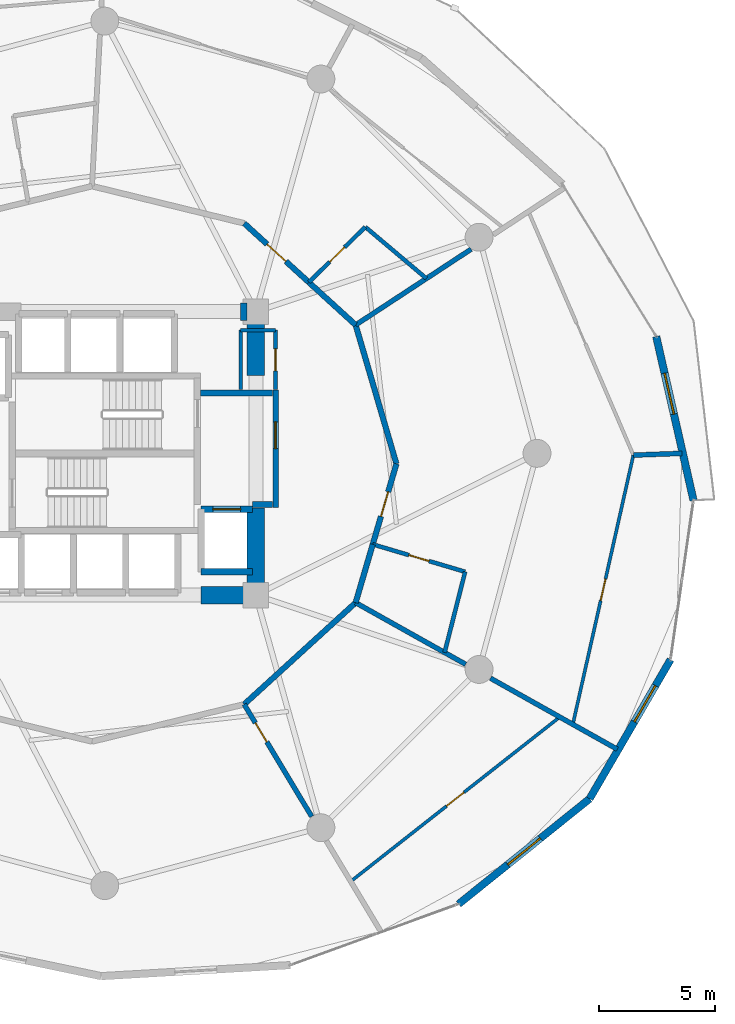
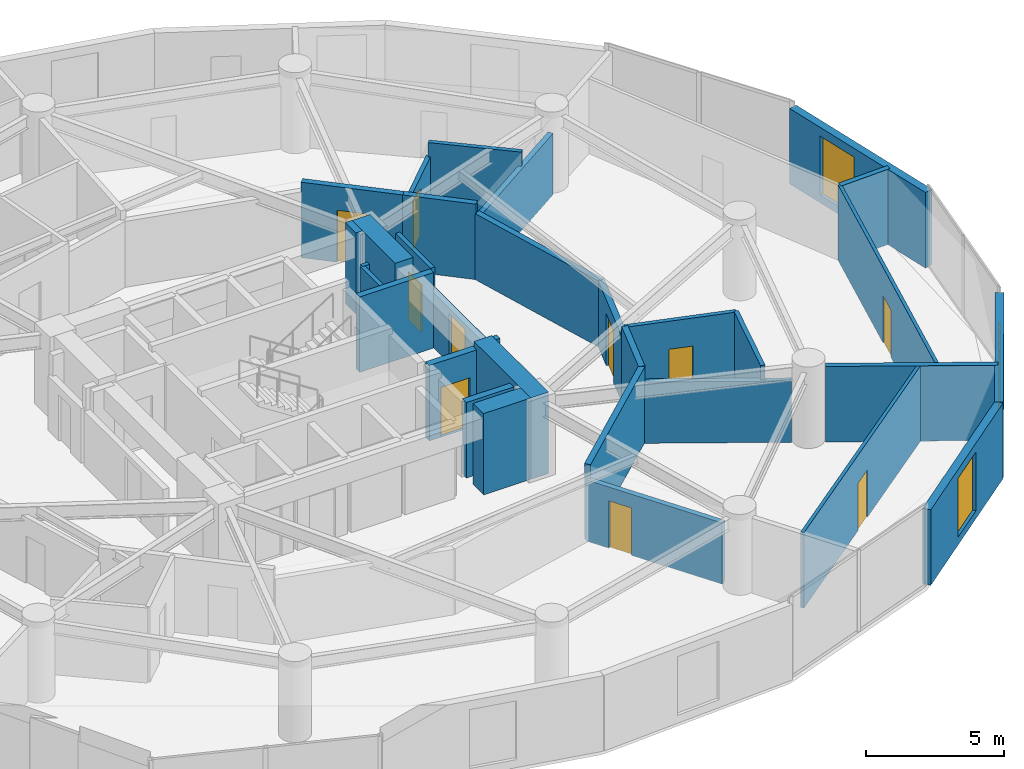
# One storey, part 22 of 26: 32 walls, 10 doors, 3 windows, 13 openings.
"""IFC4 building model written with IfcOpenShell, lengths in metres."""

from ifc_helpers import new_model, si_unit, direction, frame, frame_2d, origin, place, context, subcontext, project, spatial, rectangle, extrude, material, layer, layer_set, type_object, element, fill, save


model = new_model("IFC4")

# Units and contexts
model_context = context("Model", 3, precision=1e-05, world=origin(), true_north=direction((0.0, 1.0)))
body_context = subcontext(model_context, "Body", "Model", "MODEL_VIEW")
ifc_project = project(units=[si_unit("LENGTHUNIT", "METRE"), si_unit("AREAUNIT", "SQUARE_METRE"), si_unit("VOLUMEUNIT", "CUBIC_METRE"), si_unit("PLANEANGLEUNIT", "RADIAN"), si_unit("MASSUNIT", "GRAM", prefix="KILO")], contexts=[model_context])

# Site, building, storey
site_placement = place(None, origin())
site = spatial("IfcSite", under=ifc_project, at=site_placement, CompositionType="ELEMENT")
building_placement = place(site_placement, origin())
building = spatial("IfcBuilding", under=site, at=building_placement, Name="Solvirekh Grand Hotel", CompositionType="ELEMENT")
storey_placement = place(building_placement, frame((0.0, 0.0, 71.60009765625)))
storey = spatial("IfcBuildingStorey", under=building, at=storey_placement, Name="L17", CompositionType="ELEMENT", Elevation=71.60009765625)

# Wall
ifc_material_1 = material(Name="Concrete C40/50", Category="concrete")
ifc_layer_1 = layer(ifc_material_1, 0.280029296875)
ifc_layer_set_1 = layer_set([ifc_layer_1], Name="Concrete C40/50")
wall_type_1 = type_object("IfcWallType", Name="CoreShaftWall_RC280", PredefinedType="SOLIDWALL", material=ifc_layer_set_1)
wall_1_placement = place(storey_placement, frame((4.14990234375, -5.10009765625, 0.0), z_axis=(0.0, 0.0, 1.0), x_axis=(1.0, 0.0, 0.0)))
element("IfcWall", 1, at=wall_1_placement, inside=storey, type_object=wall_type_1, Name="L17 FL-2 hoistway S wall", PredefinedType="SOLIDWALL", context=body_context, shape_type="SweptSolid", body=[
    extrude(rectangle(XDim=2.2001953125, YDim=0.280029296875, at=frame_2d((1.10009765625, 0.0))), origin(), (0.0, 0.0, 1.0), 3.33984375),
])

# Wall, opening, door
wall_2_placement = place(storey_placement, frame((6.35009765625, -2.39990234375, 0.0), z_axis=(0.0, 0.0, 1.0), x_axis=(-1.0, 0.0, 0.0)))
wall_2 = element("IfcWall", 2, at=wall_2_placement, inside=storey, type_object=wall_type_1, Name="L17 FL-2 hoistway N wall", PredefinedType="SOLIDWALL", context=body_context, shape_type="SweptSolid", body=[
    extrude(rectangle(XDim=2.2001953125, YDim=0.280029296875, at=frame_2d((1.10009765625, 0.0))), origin(), (0.0, 0.0, 1.0), 3.33984375),
])
opening_1_placement = place(wall_2_placement, frame((0.5, 0.0, 0.0)))
opening_1 = element("IfcOpeningElement", 3, at=opening_1_placement, cuts=wall_2, Name="Opening LD02", PredefinedType="OPENING", context=body_context, shape_type="SweptSolid", body=[
    extrude(rectangle(XDim=1.199951171875, YDim=2.199951171875, at=frame_2d((0.60009765625, 1.10009765625))), frame((0.0, 0.14990234375, 0.0), z_axis=(0.0, -1.0, 0.0), x_axis=(1.0, 0.0, 0.0)), (0.0, 0.0, 1.0), 0.300048828125),
])
ifc_material_2 = material(Name="Fire-Rated Steel Door Assembly", Category="steel")
door_type_1 = type_object("IfcDoorType", Name="Door_LiftFF_1200X2200", OperationType="SLIDING_TO_LEFT", PredefinedType="DOOR", material=ifc_material_2)
door_1_placement = place(opening_1_placement, origin())
door_1 = element("IfcDoor", 4, at=door_1_placement, inside=storey, type_object=door_type_1, Name="L17 FL-2 sliding lift landing door", OperationType="SLIDING_TO_LEFT", OverallHeight=2.199951171875, OverallWidth=1.199951171875, PredefinedType="DOOR", context=body_context, shape_type="SweptSolid", body=[
    extrude(rectangle(XDim=1.199951171875, YDim=2.199951171875, at=frame_2d((0.60009765625, 1.10009765625))), frame((0.0, 0.02490234375, 0.0), z_axis=(0.0, -1.0, 0.0), x_axis=(1.0, 0.0, 0.0)), (0.0, 0.0, 1.0), 0.050048828125),
])
fill(opening_1, door_1)

# Walls
ifc_material_3 = material(Name="Concrete C60/75", Category="concrete")
ifc_layer_2 = layer(ifc_material_3, 0.75)
ifc_layer_set_2 = layer_set([ifc_layer_2], Name="Concrete C60/75")
wall_type_2 = type_object("IfcWallType", Name="CoreWall_RC750", PredefinedType="SHEAR", material=ifc_layer_set_2)
wall_3_placement = place(storey_placement, frame((4.14990234375, -6.10009765625, 0.0), z_axis=(0.0, 0.0, 1.0), x_axis=(1.0, 0.0, 0.0)))
element("IfcWall", 5, at=wall_3_placement, inside=storey, type_object=wall_type_2, Name="L17 core corner shear wall SE-S", PredefinedType="SHEAR", context=body_context, shape_type="SweptSolid", body=[
    extrude(rectangle(XDim=1.97509765625, YDim=0.75, at=frame_2d((0.987548828125, 0.0))), origin(), (0.0, 0.0, 1.0), 3.599853515625),
])
wall_4_placement = place(storey_placement, frame((5.85009765625, 6.10009765625, 0.0), z_axis=(0.0, 0.0, 1.0), x_axis=(1.0, 0.0, 0.0)))
element("IfcWall", 6, at=wall_4_placement, inside=storey, type_object=wall_type_2, Name="L17 core corner shear wall NE-N", PredefinedType="SHEAR", context=body_context, shape_type="SweptSolid", body=[
    extrude(rectangle(XDim=0.27490234375, YDim=0.75, at=frame_2d((0.137451171875, 0.0))), origin(), (0.0, 0.0, 1.0), 3.599853515625),
])
wall_5_placement = place(storey_placement, frame((6.5, -6.47509765625, 0.0), z_axis=(0.0, 0.0, 1.0), x_axis=(0.0, 1.0, 0.0)))
element("IfcWall", 7, at=wall_5_placement, inside=storey, type_object=wall_type_2, Name="L17 core corner shear wall ES-E", PredefinedType="SHEAR", context=body_context, shape_type="SweptSolid", body=[
    extrude(rectangle(XDim=4.125, YDim=0.75, at=frame_2d((2.0625, 0.0))), origin(), (0.0, 0.0, 1.0), 3.599853515625),
])
wall_6_placement = place(storey_placement, frame((6.5, 3.35009765625, 0.0), z_axis=(0.0, 0.0, 1.0), x_axis=(0.0, 1.0, 0.0)))
element("IfcWall", 8, at=wall_6_placement, inside=storey, type_object=wall_type_2, Name="L17 core corner shear wall EN-E", PredefinedType="SHEAR", context=body_context, shape_type="SweptSolid", body=[
    extrude(rectangle(XDim=3.125, YDim=0.75, at=frame_2d((1.5625, 0.0))), origin(), (0.0, 0.0, 1.0), 3.599853515625),
])

# Wall, opening, window
ifc_material_4 = material(Name="Precast concrete C45/55", Category="concrete")
ifc_layer_3 = layer(ifc_material_4, 0.320068359375)
ifc_layer_set_3 = layer_set([ifc_layer_3], Name="Precast concrete C45/55")
wall_type_3 = type_object("IfcWallType", Name="ExtLobbyWall_RC320", PredefinedType="SOLIDWALL", material=ifc_layer_set_3)
wall_7_placement = place(storey_placement, frame((23.73095703125, 5.028076171875, 0.0), z_axis=(0.0, 0.0, 1.0), x_axis=(0.221888063911, -0.975072144558, 0.0)))
wall_7 = element("IfcWall", 9, at=wall_7_placement, inside=storey, type_object=wall_type_3, Name="L17 exterior structural wall chord 2", PredefinedType="SOLIDWALL", context=body_context, shape_type="SweptSolid", body=[
    extrude(rectangle(XDim=7.2333984375, YDim=0.320068359375, at=frame_2d((3.61669921875, 0.0))), origin(), (0.0, 0.0, 1.0), 3.33984375),
])
opening_2_placement = place(wall_7_placement, frame((1.6240234375, 0.0, 0.35009765625)))
opening_2 = element("IfcOpeningElement", 10, at=opening_2_placement, cuts=wall_7, Name="Opening W02", PredefinedType="OPENING", context=body_context, shape_type="SweptSolid", body=[
    extrude(rectangle(XDim=1.800048828125, YDim=2.60009765625, at=frame_2d((0.89990234375, 1.300048828125))), frame((0.0, 0.169921875, 0.0), z_axis=(0.0, -1.0, 0.0), x_axis=(1.0, 0.0, 0.0)), (0.0, 0.0, 1.0), 0.340087890625),
])
ifc_material_5 = material(Name="Low-E Tinted Bronze Laminated Glass", Category="aluminium")
window_type = type_object("IfcWindowType", Name="Win_LobbyExt_1800X2600", PartitioningType="SINGLE_PANEL", PredefinedType="WINDOW", material=ifc_material_5)
window_1_placement = place(opening_2_placement, origin())
window_1 = element("IfcWindow", 11, at=window_1_placement, inside=storey, type_object=window_type, Name="L17 panoramic bronze-framed window 2", OverallHeight=2.60009765625, OverallWidth=1.800048828125, PartitioningType="SINGLE_PANEL", PredefinedType="WINDOW", context=body_context, shape_type="SweptSolid", body=[
    extrude(rectangle(XDim=1.800048828125, YDim=2.60009765625, at=frame_2d((0.89990234375, 1.300048828125))), frame((0.0, 0.030029296875, 0.0), z_axis=(0.0, -1.0, 0.0), x_axis=(1.0, 0.0, 0.0)), (0.0, 0.0, 1.0), 0.06005859375),
])
fill(opening_2, window_1)

wall_8_placement = place(storey_placement, frame((20.864013671875, -14.864990234375, 0.0), z_axis=(0.0, 0.0, 1.0), x_axis=(-0.779473911099, -0.626434690862, 0.0)))
wall_8 = element("IfcWall", 12, at=wall_8_placement, inside=storey, type_object=wall_type_3, Name="L17 exterior structural wall chord 19", PredefinedType="SOLIDWALL", context=body_context, shape_type="SweptSolid", body=[
    extrude(rectangle(XDim=7.23291015625, YDim=0.320068359375, at=frame_2d((3.616455078125, 0.0))), origin(), (0.0, 0.0, 1.0), 3.33984375),
])
opening_3_placement = place(wall_8_placement, frame((2.717041015625, 0.0, 0.35009765625)))
opening_3 = element("IfcOpeningElement", 13, at=opening_3_placement, cuts=wall_8, Name="Opening W02", PredefinedType="OPENING", context=body_context, shape_type="SweptSolid", body=[
    extrude(rectangle(XDim=1.800048828125, YDim=2.60009765625, at=frame_2d((0.89990234375, 1.300048828125))), frame((0.0, 0.169921875, 0.0), z_axis=(0.0, -1.0, 0.0), x_axis=(1.0, 0.0, 0.0)), (0.0, 0.0, 1.0), 0.340087890625),
])
window_2_placement = place(opening_3_placement, origin())
window_2 = element("IfcWindow", 14, at=window_2_placement, inside=storey, type_object=window_type, Name="L17 panoramic bronze-framed window 19", OverallHeight=2.60009765625, OverallWidth=1.800048828125, PartitioningType="SINGLE_PANEL", PredefinedType="WINDOW", context=body_context, shape_type="SweptSolid", body=[
    extrude(rectangle(XDim=1.800048828125, YDim=2.60009765625, at=frame_2d((0.89990234375, 1.300048828125))), frame((0.0, 0.030029296875, 0.0), z_axis=(0.0, -1.0, 0.0), x_axis=(1.0, 0.0, 0.0)), (0.0, 0.0, 1.0), 0.06005859375),
])
fill(opening_3, window_2)

wall_9_placement = place(storey_placement, frame((24.347900390625, -8.87890625, 0.0), z_axis=(0.0, 0.0, 1.0), x_axis=(-0.503009446837, -0.864280912894, 0.0)))
wall_9 = element("IfcWall", 15, at=wall_9_placement, inside=storey, type_object=wall_type_3, Name="L17 exterior structural wall chord 20", PredefinedType="SOLIDWALL", context=body_context, shape_type="SweptSolid", body=[
    extrude(rectangle(XDim=6.926025390625, YDim=0.320068359375, at=frame_2d((3.462890625, 0.0))), origin(), (0.0, 0.0, 1.0), 3.33984375),
])
opening_4_placement = place(wall_9_placement, frame((1.29296875, 0.0, 0.35009765625)))
opening_4 = element("IfcOpeningElement", 16, at=opening_4_placement, cuts=wall_9, Name="Opening W02", PredefinedType="OPENING", context=body_context, shape_type="SweptSolid", body=[
    extrude(rectangle(XDim=1.800048828125, YDim=2.60009765625, at=frame_2d((0.89990234375, 1.300048828125))), frame((0.0, 0.169921875, 0.0), z_axis=(0.0, -1.0, 0.0), x_axis=(1.0, 0.0, 0.0)), (0.0, 0.0, 1.0), 0.340087890625),
])
window_3_placement = place(opening_4_placement, origin())
window_3 = element("IfcWindow", 17, at=window_3_placement, inside=storey, type_object=window_type, Name="L17 panoramic bronze-framed window 20", OverallHeight=2.60009765625, OverallWidth=1.800048828125, PartitioningType="SINGLE_PANEL", PredefinedType="WINDOW", context=body_context, shape_type="SweptSolid", body=[
    extrude(rectangle(XDim=1.800048828125, YDim=2.60009765625, at=frame_2d((0.89990234375, 1.300048828125))), frame((0.0, 0.030029296875, 0.0), z_axis=(0.0, -1.0, 0.0), x_axis=(1.0, 0.0, 0.0)), (0.0, 0.0, 1.0), 0.06005859375),
])
fill(opening_4, window_3)

# Wall, opening, door
ifc_material_6 = material(Name="Acoustic Gypsum Partition Assembly")
ifc_layer_4 = layer(ifc_material_6, 0.1650390625)
ifc_layer_set_4 = layer_set([ifc_layer_4], Name="Acoustic Gypsum Partition Assembly")
wall_type_4 = type_object("IfcWallType", Name="Part_BOH_165", PredefinedType="PARTITIONING", material=ifc_layer_set_4)
wall_10_placement = place(storey_placement, frame((7.35009765625, 2.75, 0.0), z_axis=(0.0, 0.0, 1.0), x_axis=(0.0, 1.0, 0.0)))
wall_10 = element("IfcWall", 18, at=wall_10_placement, inside=storey, type_object=wall_type_4, Name="L17 L17 Core Housekeeping & Linen Room wall 2", PredefinedType="PARTITIONING", context=body_context, shape_type="SweptSolid", body=[
    extrude(rectangle(XDim=2.550048828125, YDim=0.1650390625, at=frame_2d((1.27490234375, 0.0))), origin(), (0.0, 0.0, 1.0), 3.33984375),
])
opening_5_placement = place(wall_10_placement, frame((0.800048828125, 0.0, 0.0)))
opening_5 = element("IfcOpeningElement", 19, at=opening_5_placement, cuts=wall_10, Name="Opening D10", PredefinedType="OPENING", context=body_context, shape_type="SweptSolid", body=[
    extrude(rectangle(XDim=0.949951171875, YDim=2.10009765625, at=frame_2d((0.47509765625, 1.050048828125))), frame((0.0, 0.092529296875, 0.0), z_axis=(0.0, -1.0, 0.0), x_axis=(1.0, 0.0, 0.0)), (0.0, 0.0, 1.0), 0.18505859375),
])
ifc_material_7 = material(Name="Anodized Bronze Aluminium 6063-T6", Category="aluminium")
door_type_2 = type_object("IfcDoorType", Name="Door_RoomInt_950X2100", OperationType="NOTDEFINED", PredefinedType="DOOR", material=ifc_material_7)
door_2_placement = place(opening_5_placement, origin())
door_2 = element("IfcDoor", 20, at=door_2_placement, inside=storey, type_object=door_type_2, Name="L17 L17 Core Housekeeping & Linen Room door", OperationType="SINGLE_SWING_LEFT", OverallHeight=2.10009765625, OverallWidth=0.949951171875, PredefinedType="DOOR", context=body_context, shape_type="SweptSolid", body=[
    extrude(rectangle(XDim=0.949951171875, YDim=2.10009765625, at=frame_2d((0.47509765625, 1.050048828125))), frame((0.0, 0.02490234375, 0.0), z_axis=(0.0, -1.0, 0.0), x_axis=(1.0, 0.0, 0.0)), (0.0, 0.0, 1.0), 0.050048828125),
])
fill(opening_5, door_2)

# Walls
wall_11_placement = place(storey_placement, frame((7.35009765625, 5.300048828125, 0.0), z_axis=(0.0, 0.0, 1.0), x_axis=(-1.0, 0.0, 0.0)))
element("IfcWall", 21, at=wall_11_placement, inside=storey, type_object=wall_type_4, Name="L17 L17 Core Housekeeping & Linen Room wall 3", PredefinedType="PARTITIONING", context=body_context, shape_type="SweptSolid", body=[
    extrude(rectangle(XDim=1.5, YDim=0.1650390625, at=frame_2d((0.75, 0.0))), origin(), (0.0, 0.0, 1.0), 2.4248046875),
])
wall_12_placement = place(storey_placement, frame((5.85009765625, 5.300048828125, 0.0), z_axis=(0.0, 0.0, 1.0), x_axis=(0.0, -1.0, 0.0)))
element("IfcWall", 22, at=wall_12_placement, inside=storey, type_object=wall_type_4, Name="L17 L17 Core Housekeeping & Linen Room wall 4", PredefinedType="PARTITIONING", context=body_context, shape_type="SweptSolid", body=[
    extrude(rectangle(XDim=2.550048828125, YDim=0.1650390625, at=frame_2d((1.27490234375, 0.0))), origin(), (0.0, 0.0, 1.0), 2.4248046875),
])

# Wall, opening, door
ifc_layer_5 = layer(ifc_material_6, 0.239990234375)
ifc_layer_set_5 = layer_set([ifc_layer_5], Name="Acoustic Gypsum Partition Assembly")
wall_type_5 = type_object("IfcWallType", Name="Part_Corridor_240", PredefinedType="PARTITIONING", material=ifc_layer_set_5)
wall_13_placement = place(storey_placement, frame((7.35009765625, -2.340087890625, 0.0), z_axis=(0.0, 0.0, 1.0), x_axis=(0.0, 1.0, 0.0)))
wall_13 = element("IfcWall", 23, at=wall_13_placement, inside=storey, type_object=wall_type_5, Name="L17 east firefighting lobby smoke screen wall", PredefinedType="PARTITIONING", context=body_context, shape_type="SweptSolid", body=[
    extrude(rectangle(XDim=5.070068359375, YDim=0.239990234375, at=frame_2d((2.53515625, 0.0))), origin(), (0.0, 0.0, 1.0), 2.4248046875),
])
opening_6_placement = place(wall_13_placement, frame((2.548095703125, 0.0, 0.0)))
opening_6 = element("IfcOpeningElement", 24, at=opening_6_placement, cuts=wall_13, Name="Opening D06", PredefinedType="OPENING", context=body_context, shape_type="SweptSolid", body=[
    extrude(rectangle(XDim=1.14990234375, YDim=2.199951171875, at=frame_2d((0.574951171875, 1.10009765625))), frame((0.0, 0.1298828125, 0.0), z_axis=(0.0, -1.0, 0.0), x_axis=(1.0, 0.0, 0.0)), (0.0, 0.0, 1.0), 0.260009765625),
])
door_type_3 = type_object("IfcDoorType", Name="Door_FFLobby_1150X2200", OperationType="NOTDEFINED", PredefinedType="DOOR", material=ifc_material_2)
door_3_placement = place(opening_6_placement, origin())
door_3 = element("IfcDoor", 25, at=door_3_placement, inside=storey, type_object=door_type_3, Name="L17 east firefighting lobby smoke door", OperationType="SINGLE_SWING_LEFT", OverallHeight=2.199951171875, OverallWidth=1.14990234375, PredefinedType="DOOR", context=body_context, shape_type="SweptSolid", body=[
    extrude(rectangle(XDim=1.14990234375, YDim=2.199951171875, at=frame_2d((0.574951171875, 1.10009765625))), frame((0.0, 0.02490234375, 0.0), z_axis=(0.0, -1.0, 0.0), x_axis=(1.0, 0.0, 0.0)), (0.0, 0.0, 1.0), 0.050048828125),
])
fill(opening_6, door_3)

# Walls
wall_14_placement = place(storey_placement, frame((6.0, -10.799072265625, 0.0), z_axis=(0.0, 0.0, 1.0), x_axis=(0.73878836807, 0.673937495028, 0.0)))
element("IfcWall", 26, at=wall_14_placement, inside=storey, type_object=wall_type_5, Name="L17 Presidential Suite 1901 Suite Foyer corridor enclosure wall", PredefinedType="PARTITIONING", context=body_context, shape_type="SweptSolid", body=[
    extrude(rectangle(XDim=6.490234375, YDim=0.239990234375, at=frame_2d((3.2451171875, 0.0))), origin(), (0.0, 0.0, 1.0), 3.33984375),
])
wall_15_placement = place(storey_placement, frame((10.794921875, -6.425048828125, 0.0), z_axis=(0.0, 0.0, 1.0), x_axis=(0.281852929568, 0.959457620791, 0.0)))
element("IfcWall", 27, at=wall_15_placement, inside=storey, type_object=wall_type_5, Name="L17 En-suite Bathroom 1902 corridor backing wall", PredefinedType="PARTITIONING", context=body_context, shape_type="SweptSolid", body=[
    extrude(rectangle(XDim=2.614990234375, YDim=0.239990234375, at=frame_2d((1.3076171875, 0.0))), origin(), (0.0, 0.0, 1.0), 3.33984375),
])
wall_16_placement = place(storey_placement, frame((12.550048828125, -0.449951171875, 0.0), z_axis=(0.0, 0.0, 1.0), x_axis=(-0.281843679574, 0.959460338046, 0.0)))
element("IfcWall", 28, at=wall_16_placement, inside=storey, type_object=wall_type_5, Name="L17 Executive Suite 1902 Living Room corridor wall 1", PredefinedType="PARTITIONING", context=body_context, shape_type="SweptSolid", body=[
    extrude(rectangle(XDim=6.227294921875, YDim=0.239990234375, at=frame_2d((3.11376953125, 0.0))), origin(), (0.0, 0.0, 1.0), 2.9169921875),
])

# Wall, opening, door
wall_17_placement = place(storey_placement, frame((11.531982421875, -3.916015625, 0.0), z_axis=(0.0, 0.0, 1.0), x_axis=(0.281818707972, 0.959467673159, 0.0)))
wall_17 = element("IfcWall", 29, at=wall_17_placement, inside=storey, type_object=wall_type_5, Name="L17 Executive Suite 1902 Living Room entrance wall", PredefinedType="PARTITIONING", context=body_context, shape_type="SweptSolid", body=[
    extrude(rectangle(XDim=3.612548828125, YDim=0.239990234375, at=frame_2d((1.80615234375, 0.0))), origin(), (0.0, 0.0, 1.0), 2.9169921875),
])
opening_7_placement = place(wall_17_placement, frame((1.256103515625, 0.0, 0.0)))
opening_7 = element("IfcOpeningElement", 30, at=opening_7_placement, cuts=wall_17, Name="Opening D08", PredefinedType="OPENING", context=body_context, shape_type="SweptSolid", body=[
    extrude(rectangle(XDim=1.10009765625, YDim=2.300048828125, at=frame_2d((0.550048828125, 1.14990234375))), frame((0.0, 0.1298828125, 0.0), z_axis=(0.0, -1.0, 0.0), x_axis=(1.0, 0.0, 0.0)), (0.0, 0.0, 1.0), 0.260009765625),
])
door_type_4 = type_object("IfcDoorType", Name="Door_SuiteEntry_1100X2300", OperationType="NOTDEFINED", PredefinedType="DOOR", material=ifc_material_2)
door_4_placement = place(opening_7_placement, origin())
door_4 = element("IfcDoor", 31, at=door_4_placement, inside=storey, type_object=door_type_4, Name="L17 Executive Suite 1902 Living Room entrance door", OperationType="SINGLE_SWING_LEFT", OverallHeight=2.300048828125, OverallWidth=1.10009765625, PredefinedType="DOOR", context=body_context, shape_type="SweptSolid", body=[
    extrude(rectangle(XDim=1.10009765625, YDim=2.300048828125, at=frame_2d((0.550048828125, 1.14990234375))), frame((0.0, 0.02490234375, 0.0), z_axis=(0.0, -1.0, 0.0), x_axis=(1.0, 0.0, 0.0)), (0.0, 0.0, 1.0), 0.050048828125),
])
fill(opening_7, door_4)

# Wall
wall_18_placement = place(storey_placement, frame((10.794921875, 5.52490234375, 0.0), z_axis=(0.0, 0.0, 1.0), x_axis=(-0.738784017848, 0.673942263827, 0.0)))
element("IfcWall", 32, at=wall_18_placement, inside=storey, type_object=wall_type_5, Name="L17 En-suite Bathroom 1903 corridor backing wall", PredefinedType="PARTITIONING", context=body_context, shape_type="SweptSolid", body=[
    extrude(rectangle(XDim=2.72607421875, YDim=0.239990234375, at=frame_2d((1.363037109375, 0.0))), origin(), (0.0, 0.0, 1.0), 3.33984375),
])

# Wall, opening, door
wall_19_placement = place(storey_placement, frame((8.781005859375, 7.362060546875, 0.0), z_axis=(0.0, 0.0, 1.0), x_axis=(-0.738791518375, 0.673934041562, 0.0)))
wall_19 = element("IfcWall", 33, at=wall_19_placement, inside=storey, type_object=wall_type_5, Name="L17 Executive Suite 1903 Living Room entrance wall", PredefinedType="PARTITIONING", context=body_context, shape_type="SweptSolid", body=[
    extrude(rectangle(XDim=3.76416015625, YDim=0.239990234375, at=frame_2d((1.882080078125, 0.0))), origin(), (0.0, 0.0, 1.0), 3.33984375),
])
opening_8_placement = place(wall_19_placement, frame((1.33203125, 0.0, 0.0)))
opening_8 = element("IfcOpeningElement", 34, at=opening_8_placement, cuts=wall_19, Name="Opening D08", PredefinedType="OPENING", context=body_context, shape_type="SweptSolid", body=[
    extrude(rectangle(XDim=1.10009765625, YDim=2.300048828125, at=frame_2d((0.550048828125, 1.14990234375))), frame((0.0, 0.1298828125, 0.0), z_axis=(0.0, -1.0, 0.0), x_axis=(1.0, 0.0, 0.0)), (0.0, 0.0, 1.0), 0.260009765625),
])
door_5_placement = place(opening_8_placement, origin())
door_5 = element("IfcDoor", 35, at=door_5_placement, inside=storey, type_object=door_type_4, Name="L17 Executive Suite 1903 Living Room entrance door", OperationType="SINGLE_SWING_LEFT", OverallHeight=2.300048828125, OverallWidth=1.10009765625, PredefinedType="DOOR", context=body_context, shape_type="SweptSolid", body=[
    extrude(rectangle(XDim=1.10009765625, YDim=2.300048828125, at=frame_2d((0.550048828125, 1.14990234375))), frame((0.0, 0.02490234375, 0.0), z_axis=(0.0, -1.0, 0.0), x_axis=(1.0, 0.0, 0.0)), (0.0, 0.0, 1.0), 0.050048828125),
])
fill(opening_8, door_5)

# Walls
ifc_layer_6 = layer(ifc_material_6, 0.260009765625)
ifc_layer_set_6 = layer_set([ifc_layer_6], Name="Acoustic Gypsum Partition Assembly")
wall_type_6 = type_object("IfcWallType", Name="Part_LobbyFF_260", PredefinedType="PARTITIONING", material=ifc_layer_set_6)
wall_20_placement = place(storey_placement, frame((6.35009765625, -2.2099609375, 0.0), z_axis=(0.0, 0.0, 1.0), x_axis=(1.0, 0.0, 0.0)))
element("IfcWall", 36, at=wall_20_placement, inside=storey, type_object=wall_type_6, Name="L17 east firefighting lobby SE cheek", PredefinedType="PARTITIONING", context=body_context, shape_type="SweptSolid", body=[
    extrude(rectangle(XDim=0.875, YDim=0.260009765625, at=frame_2d((0.4375, 0.0))), origin(), (0.0, 0.0, 1.0), 3.33984375),
])
wall_21_placement = place(storey_placement, frame((4.1298828125, 2.60009765625, 0.0), z_axis=(0.0, 0.0, 1.0), x_axis=(1.0, 0.0, 0.0)))
element("IfcWall", 37, at=wall_21_placement, inside=storey, type_object=wall_type_6, Name="L17 east firefighting lobby north partition", PredefinedType="PARTITIONING", context=body_context, shape_type="SweptSolid", body=[
    extrude(rectangle(XDim=3.09521484375, YDim=0.260009765625, at=frame_2d((1.547607421875, 0.0))), origin(), (0.0, 0.0, 1.0), 3.33984375),
])

# Wall, opening, door
ifc_layer_7 = layer(ifc_material_6, 0.135009765625)
ifc_layer_set_7 = layer_set([ifc_layer_7], Name="Acoustic Gypsum Partition Assembly")
wall_type_7 = type_object("IfcWallType", Name="Part_RoomInt_135", PredefinedType="PARTITIONING", material=ifc_layer_set_7)
wall_22_placement = place(storey_placement, frame((10.583984375, -18.4208984375, 0.0), z_axis=(0.0, 0.0, 1.0), x_axis=(0.78604730867, 0.618166343739, 0.0)))
wall_22 = element("IfcWall", 38, at=wall_22_placement, inside=storey, type_object=wall_type_7, Name="L17 Presidential Suite 1901 Suite Foyer bedroom screen wall", PredefinedType="PARTITIONING", context=body_context, shape_type="SweptSolid", body=[
    extrude(rectangle(XDim=11.443359375, YDim=0.135009765625, at=frame_2d((5.7216796875, 0.0))), origin(), (0.0, 0.0, 1.0), 3.33984375),
])
opening_9_placement = place(wall_22_placement, frame((5.2470703125, 0.0, 0.0)))
opening_9 = element("IfcOpeningElement", 39, at=opening_9_placement, cuts=wall_22, Name="Opening D10", PredefinedType="OPENING", context=body_context, shape_type="SweptSolid", body=[
    extrude(rectangle(XDim=0.949951171875, YDim=2.10009765625, at=frame_2d((0.47509765625, 1.050048828125))), frame((0.0, 0.07763671875, 0.0), z_axis=(0.0, -1.0, 0.0), x_axis=(1.0, 0.0, 0.0)), (0.0, 0.0, 1.0), 0.155029296875),
])
door_6_placement = place(opening_9_placement, origin())
door_6 = element("IfcDoor", 40, at=door_6_placement, inside=storey, type_object=door_type_2, Name="L17 Presidential Suite 1901 Suite Foyer master bedroom door", OperationType="SINGLE_SWING_LEFT", OverallHeight=2.10009765625, OverallWidth=0.949951171875, PredefinedType="DOOR", context=body_context, shape_type="SweptSolid", body=[
    extrude(rectangle(XDim=0.949951171875, YDim=2.10009765625, at=frame_2d((0.47509765625, 1.050048828125))), frame((0.0, 0.02490234375, 0.0), z_axis=(0.0, -1.0, 0.0), x_axis=(1.0, 0.0, 0.0)), (0.0, 0.0, 1.0), 0.050048828125),
])
fill(opening_9, door_6)

wall_23_placement = place(storey_placement, frame((20.14208984375, -11.662109375, 0.0), z_axis=(0.0, 0.0, 1.0), x_axis=(0.219376674663, 0.975640238312, 0.0)))
wall_23 = element("IfcWall", 41, at=wall_23_placement, inside=storey, type_object=wall_type_7, Name="L17 Executive Suite 1902 Living Room bedroom screen wall", PredefinedType="PARTITIONING", context=body_context, shape_type="SweptSolid", body=[
    extrude(rectangle(XDim=11.87451171875, YDim=0.135009765625, at=frame_2d((5.937255859375, 0.0))), origin(), (0.0, 0.0, 1.0), 3.33984375),
])
opening_10_placement = place(wall_23_placement, frame((5.4619140625, 0.0, 0.0)))
opening_10 = element("IfcOpeningElement", 42, at=opening_10_placement, cuts=wall_23, Name="Opening D10", PredefinedType="OPENING", context=body_context, shape_type="SweptSolid", body=[
    extrude(rectangle(XDim=0.949951171875, YDim=2.10009765625, at=frame_2d((0.47509765625, 1.050048828125))), frame((0.0, 0.07763671875, 0.0), z_axis=(0.0, -1.0, 0.0), x_axis=(1.0, 0.0, 0.0)), (0.0, 0.0, 1.0), 0.155029296875),
])
door_7_placement = place(opening_10_placement, origin())
door_7 = element("IfcDoor", 43, at=door_7_placement, inside=storey, type_object=door_type_2, Name="L17 Executive Suite 1902 Living Room master bedroom door", OperationType="SINGLE_SWING_RIGHT", OverallHeight=2.10009765625, OverallWidth=0.949951171875, PredefinedType="DOOR", context=body_context, shape_type="SweptSolid", body=[
    extrude(rectangle(XDim=0.949951171875, YDim=2.10009765625, at=frame_2d((0.47509765625, 1.050048828125))), frame((0.0, 0.02490234375, 0.0), z_axis=(0.0, -1.0, 0.0), x_axis=(1.0, 0.0, 0.0)), (0.0, 0.0, 1.0), 0.050048828125),
])
fill(opening_10, door_7)

# Wall
ifc_layer_8 = layer(ifc_material_6, 0.2099609375)
ifc_layer_set_8 = layer_set([ifc_layer_8], Name="Acoustic Gypsum Partition Assembly")
wall_type_8 = type_object("IfcWallType", Name="Part_SuiteDemise_210", PredefinedType="PARTITIONING", material=ifc_layer_set_8)
wall_24_placement = place(storey_placement, frame((10.794921875, 5.52490234375, 0.0), z_axis=(0.0, 0.0, 1.0), x_axis=(0.836067345727, 0.548626825273, 0.0)))
element("IfcWall", 44, at=wall_24_placement, inside=storey, type_object=wall_type_8, Name="L17 suite radial wall 2 (A)", PredefinedType="PARTITIONING", context=body_context, shape_type="SweptSolid", body=[
    extrude(rectangle(XDim=5.942138671875, YDim=0.2099609375, at=frame_2d((2.97119140625, 0.0))), origin(), (0.0, 0.0, 1.0), 2.708984375),
])

# Wall, opening, door
wall_25_placement = place(storey_placement, frame((6.0, -10.799072265625, 0.0), z_axis=(0.0, 0.0, 1.0), x_axis=(0.515348967782, -0.856980420666, 0.0)))
wall_25 = element("IfcWall", 45, at=wall_25_placement, inside=storey, type_object=wall_type_8, Name="L17 suite radial wall 11 (A)", PredefinedType="PARTITIONING", context=body_context, shape_type="SweptSolid", body=[
    extrude(rectangle(XDim=5.636962890625, YDim=0.2099609375, at=frame_2d((2.818359375, 0.0))), origin(), (0.0, 0.0, 1.0), 2.708984375),
])
opening_11_placement = place(wall_25_placement, frame((0.93701171875, 0.0, 0.0)))
opening_11 = element("IfcOpeningElement", 46, at=opening_11_placement, cuts=wall_25, Name="Opening D10", PredefinedType="OPENING", context=body_context, shape_type="SweptSolid", body=[
    extrude(rectangle(XDim=0.949951171875, YDim=2.10009765625, at=frame_2d((0.47509765625, 1.050048828125))), frame((0.0, 0.114990234375, 0.0), z_axis=(0.0, -1.0, 0.0), x_axis=(1.0, 0.0, 0.0)), (0.0, 0.0, 1.0), 0.22998046875),
])
door_8_placement = place(opening_11_placement, origin())
door_8 = element("IfcDoor", 47, at=door_8_placement, inside=storey, type_object=door_type_2, Name="L17 Presidential Suite 1901 Suite Foyer suite connecting door", OperationType="SINGLE_SWING_RIGHT", OverallHeight=2.10009765625, OverallWidth=0.949951171875, PredefinedType="DOOR", context=body_context, shape_type="SweptSolid", body=[
    extrude(rectangle(XDim=0.949951171875, YDim=2.10009765625, at=frame_2d((0.47509765625, 1.050048828125))), frame((0.0, 0.02490234375, 0.0), z_axis=(0.0, -1.0, 0.0), x_axis=(1.0, 0.0, 0.0)), (0.0, 0.0, 1.0), 0.050048828125),
])
fill(opening_11, door_8)

# Walls
wall_26_placement = place(storey_placement, frame((10.794921875, -6.425048828125, 0.0), z_axis=(0.0, 0.0, 1.0), x_axis=(0.8723709625, -0.488844457662, 0.0)))
element("IfcWall", 48, at=wall_26_placement, inside=storey, type_object=wall_type_8, Name="L17 suite radial wall 12 (A)", PredefinedType="PARTITIONING", context=body_context, shape_type="SweptSolid", body=[
    extrude(rectangle(XDim=5.4267578125, YDim=0.2099609375, at=frame_2d((2.71337890625, 0.0))), origin(), (0.0, 0.0, 1.0), 2.708984375),
])
wall_27_placement = place(storey_placement, frame((16.60009765625, -9.677001953125, 0.0), z_axis=(0.0, 0.0, 1.0), x_axis=(0.872348901989, -0.488883823825, 0.0)))
element("IfcWall", 49, at=wall_27_placement, inside=storey, type_object=wall_type_8, Name="L17 suite radial wall 12 (B)", PredefinedType="PARTITIONING", context=body_context, shape_type="SweptSolid", body=[
    extrude(rectangle(XDim=6.25537109375, YDim=0.2099609375, at=frame_2d((3.127685546875, 0.0))), origin(), (0.0, 0.0, 1.0), 3.33984375),
])
wall_28_placement = place(storey_placement, frame((22.7470703125, -0.076904296875, 0.0), z_axis=(0.0, 0.0, 1.0), x_axis=(0.9993223365, 0.036808528531, 0.0)))
element("IfcWall", 50, at=wall_28_placement, inside=storey, type_object=wall_type_8, Name="L17 Executive Suite 1902 Living Room dividing partition 1", PredefinedType="PARTITIONING", context=body_context, shape_type="SweptSolid", body=[
    extrude(rectangle(XDim=2.08935546875, YDim=0.2099609375, at=frame_2d((1.044677734375, 0.0))), origin(), (0.0, 0.0, 1.0), 3.33984375),
])
ifc_layer_9 = layer(ifc_material_6, 0.175048828125)
ifc_layer_set_9 = layer_set([ifc_layer_9], Name="Acoustic Gypsum Partition Assembly")
wall_type_9 = type_object("IfcWallType", Name="Plumb_Ensuite_175", PredefinedType="PLUMBINGWALL", material=ifc_layer_set_9)
wall_29_placement = place(storey_placement, frame((14.6240234375, -8.570068359375, 0.0), z_axis=(0.0, 0.0, 1.0), x_axis=(0.246347816962, 0.969181486141, 0.0)))
element("IfcWall", 51, at=wall_29_placement, inside=storey, type_object=wall_type_9, Name="L17 En-suite Bathroom 1902 outer plumbing wall", PredefinedType="PLUMBINGWALL", context=body_context, shape_type="SweptSolid", body=[
    extrude(rectangle(XDim=3.58447265625, YDim=0.175048828125, at=frame_2d((1.792236328125, 0.0))), origin(), (0.0, 0.0, 1.0), 3.33984375),
])

# Wall, opening, door
wall_30_placement = place(storey_placement, frame((11.531982421875, -3.916015625, 0.0), z_axis=(0.0, 0.0, 1.0), x_axis=(0.958658411313, -0.284559396995, 0.0)))
wall_30 = element("IfcWall", 52, at=wall_30_placement, inside=storey, type_object=wall_type_9, Name="L17 En-suite Bathroom 1902 entry plumbing wall", PredefinedType="PLUMBINGWALL", context=body_context, shape_type="SweptSolid", body=[
    extrude(rectangle(XDim=4.146484375, YDim=0.175048828125, at=frame_2d((2.0732421875, 0.0))), origin(), (0.0, 0.0, 1.0), 3.33984375),
])
opening_12_placement = place(wall_30_placement, frame((1.623046875, 0.0, 0.0)))
opening_12 = element("IfcOpeningElement", 53, at=opening_12_placement, cuts=wall_30, Name="Opening D09", PredefinedType="OPENING", context=body_context, shape_type="SweptSolid", body=[
    extrude(rectangle(XDim=0.89990234375, YDim=2.10009765625, at=frame_2d((0.449951171875, 1.050048828125))), frame((0.0, 0.09765625, 0.0), z_axis=(0.0, -1.0, 0.0), x_axis=(1.0, 0.0, 0.0)), (0.0, 0.0, 1.0), 0.195068359375),
])
door_type_5 = type_object("IfcDoorType", Name="Door_Ensuite_900X2100", OperationType="NOTDEFINED", PredefinedType="DOOR", material=ifc_material_7)
door_9_placement = place(opening_12_placement, origin())
door_9 = element("IfcDoor", 54, at=door_9_placement, inside=storey, type_object=door_type_5, Name="L17 En-suite Bathroom 1902 door", OperationType="SINGLE_SWING_RIGHT", OverallHeight=2.10009765625, OverallWidth=0.89990234375, PredefinedType="DOOR", context=body_context, shape_type="SweptSolid", body=[
    extrude(rectangle(XDim=0.89990234375, YDim=2.10009765625, at=frame_2d((0.449951171875, 1.050048828125))), frame((0.0, 0.02490234375, 0.0), z_axis=(0.0, -1.0, 0.0), x_axis=(1.0, 0.0, 0.0)), (0.0, 0.0, 1.0), 0.050048828125),
])
fill(opening_12, door_9)

# Wall
wall_31_placement = place(storey_placement, frame((13.842041015625, 7.52490234375, 0.0), z_axis=(0.0, 0.0, 1.0), x_axis=(-0.764456493043, 0.644675321572, 0.0)))
element("IfcWall", 55, at=wall_31_placement, inside=storey, type_object=wall_type_9, Name="L17 En-suite Bathroom 1903 outer plumbing wall", PredefinedType="PLUMBINGWALL", context=body_context, shape_type="SweptSolid", body=[
    extrude(rectangle(XDim=3.4404296875, YDim=0.175048828125, at=frame_2d((1.72021484375, 0.0))), origin(), (0.0, 0.0, 1.0), 3.33984375),
])

# Wall, opening, door
wall_32_placement = place(storey_placement, frame((8.781005859375, 7.362060546875, 0.0), z_axis=(0.0, 0.0, 1.0), x_axis=(0.71442299397, 0.699714074238, 0.0)))
wall_32 = element("IfcWall", 56, at=wall_32_placement, inside=storey, type_object=wall_type_9, Name="L17 En-suite Bathroom 1903 entry plumbing wall", PredefinedType="PLUMBINGWALL", context=body_context, shape_type="SweptSolid", body=[
    extrude(rectangle(XDim=3.402587890625, YDim=0.175048828125, at=frame_2d((1.701171875, 0.0))), origin(), (0.0, 0.0, 1.0), 2.708984375),
])
opening_13_placement = place(wall_32_placement, frame((1.2509765625, 0.0, 0.0)))
opening_13 = element("IfcOpeningElement", 57, at=opening_13_placement, cuts=wall_32, Name="Opening D09", PredefinedType="OPENING", context=body_context, shape_type="SweptSolid", body=[
    extrude(rectangle(XDim=0.89990234375, YDim=2.10009765625, at=frame_2d((0.449951171875, 1.050048828125))), frame((0.0, 0.09765625, 0.0), z_axis=(0.0, -1.0, 0.0), x_axis=(1.0, 0.0, 0.0)), (0.0, 0.0, 1.0), 0.195068359375),
])
door_10_placement = place(opening_13_placement, origin())
door_10 = element("IfcDoor", 58, at=door_10_placement, inside=storey, type_object=door_type_5, Name="L17 En-suite Bathroom 1903 door", OperationType="SINGLE_SWING_RIGHT", OverallHeight=2.10009765625, OverallWidth=0.89990234375, PredefinedType="DOOR", context=body_context, shape_type="SweptSolid", body=[
    extrude(rectangle(XDim=0.89990234375, YDim=2.10009765625, at=frame_2d((0.449951171875, 1.050048828125))), frame((0.0, 0.02490234375, 0.0), z_axis=(0.0, -1.0, 0.0), x_axis=(1.0, 0.0, 0.0)), (0.0, 0.0, 1.0), 0.050048828125),
])
fill(opening_13, door_10)

save(model, "model.ifc")
